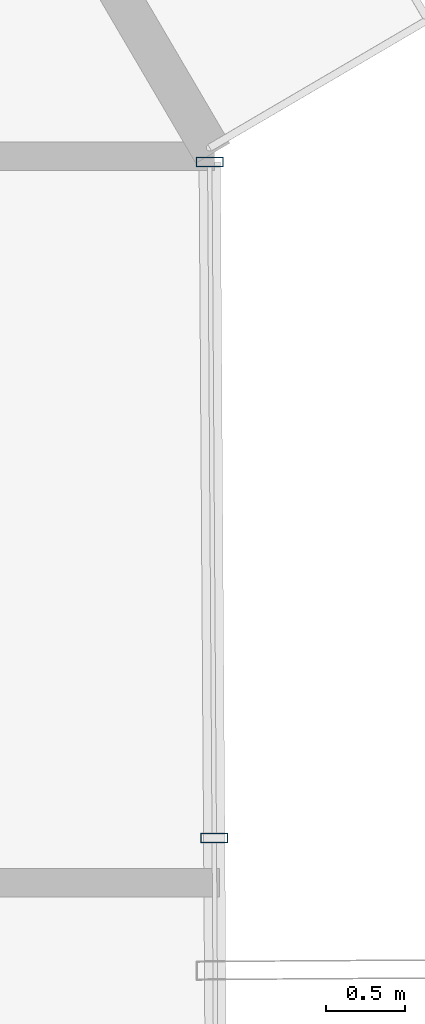
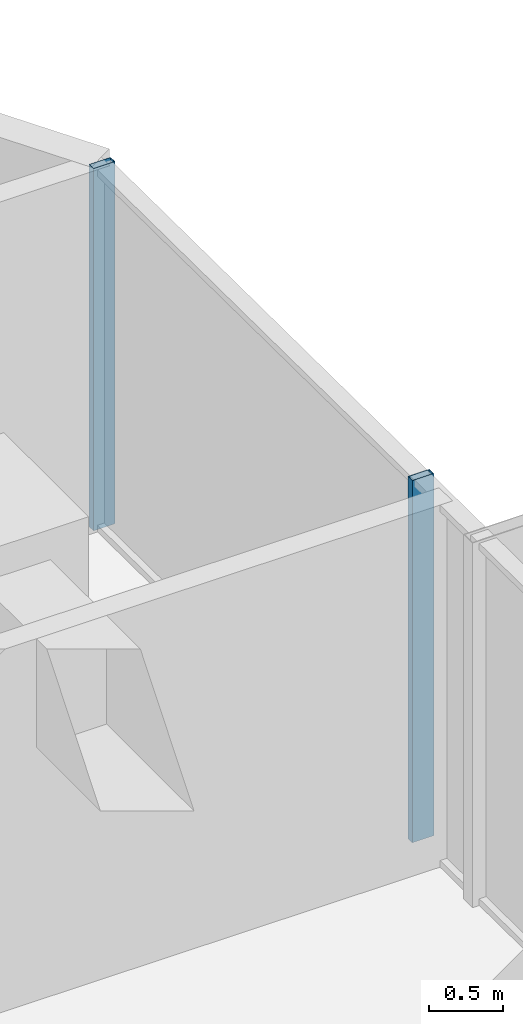
# One storey, part 16 of 30: 2 members, 1 element without a shape of its own.
"""IFC4 building model written with IfcOpenShell, lengths in metres."""

from ifc_helpers import new_model, si_unit, direction, frame, origin, origin_2d, place, context, subcontext, project, spatial, hollow_rectangle, extrude, source, transform, mapped, material, layer, layer_set, material_profile, profile_set, type_object, element, aggregate, save


model = new_model("IFC4")

# Units and contexts
model_context = context("Model", 3, precision=1e-05, world=origin(), true_north=direction((0.0, 1.0)))
body_context = subcontext(model_context, "Body", "Model", "MODEL_VIEW")
ifc_project = project(units=[si_unit("LENGTHUNIT", "METRE"), si_unit("AREAUNIT", "SQUARE_METRE"), si_unit("VOLUMEUNIT", "CUBIC_METRE"), si_unit("PLANEANGLEUNIT", "RADIAN"), si_unit("MASSUNIT", "GRAM", prefix="KILO")], contexts=[model_context])

# Site, building, storey
site_placement = place(None, origin())
site = spatial("IfcSite", under=ifc_project, at=site_placement, CompositionType="ELEMENT")
building_placement = place(site_placement, origin())
building = spatial("IfcBuilding", under=site, at=building_placement, Name="Veraguas Prism Commons", CompositionType="ELEMENT")
storey_placement = place(building_placement, frame((0.0, 0.0, 129.5)))
storey = spatial("IfcBuildingStorey", under=building, at=storey_placement, Name="L36", CompositionType="ELEMENT", Elevation=129.5)

# Curtain wall, members
ifc_material = material(Name="Anodised aluminium EN AW-6063 T6", Category="aluminium")
ifc_layer = layer(ifc_material, 0.169921875, Name="Unitised Flush Curtain Wall Zone 2", Category="aluminium")
ifc_layer_set = layer_set([ifc_layer], Name="Anodised aluminium EN AW-6063 T6")
curtain_wall_type = type_object("IfcCurtainWallType", Name="Unitised Flush Curtain Wall Zone 2", PredefinedType="NOTDEFINED", material=ifc_layer_set)
curtain_wall_placement = place(storey_placement, origin())
curtain_wall = element("IfcCurtainWall", 1, at=curtain_wall_placement, inside=storey, type_object=curtain_wall_type, Name="Tower Facade Curtain Wall L36-F6", PredefinedType="NOTDEFINED")
ifc_material_profile = material_profile(ifc_material, hollow_rectangle(XDim=0.06005859375, YDim=0.169921875, WallThickness=0.00390625, at=origin_2d()), Name="AL60X170X4")
ifc_profile_set = profile_set([ifc_material_profile], Name="Anodised aluminium EN AW-6063 T6")
member_type = type_object("IfcMemberType", Name="Curtain Wall Mullion Lower AL 60x170x4", PredefinedType="MULLION", material=ifc_profile_set)
shared_shape = source(origin(), body_context, "Body", "SweptSolid", [
    extrude(hollow_rectangle(XDim=0.06005859375, YDim=0.169921875, WallThickness=0.00390625, at=origin_2d()), origin(), (0.0, 0.0, 1.0), 3.0),
])
member_1_placement = place(storey_placement, frame((43.153564453125, 28.435791015625, 0.0), z_axis=(0.0, 0.0, 1.0), x_axis=(-0.006632202536, 0.999978006703, 0.0)))
member_1 = element("IfcMember", 2, at=member_1_placement, type_object=member_type, Name="CW-Z2 Mullion 4", PredefinedType="MULLION", context=body_context, shape_type="MappedRepresentation", body=[
    mapped(shared_shape, transform((0.0, 0.0, 0.0), scale=1.0)),
])
member_2_placement = place(storey_placement, frame((43.125, 32.714111328125, 0.0), z_axis=(0.0, 0.0, 1.0), x_axis=(-0.006632202536, 0.999978006703, 0.0)))
member_2 = element("IfcMember", 3, at=member_2_placement, type_object=member_type, Name="CW-Z2 Mullion 5", PredefinedType="MULLION", context=body_context, shape_type="MappedRepresentation", body=[
    mapped(shared_shape, transform((0.0, 0.0, 0.0), scale=1.0)),
])
aggregate(curtain_wall, [member_1, member_2])

save(model, "model.ifc")
